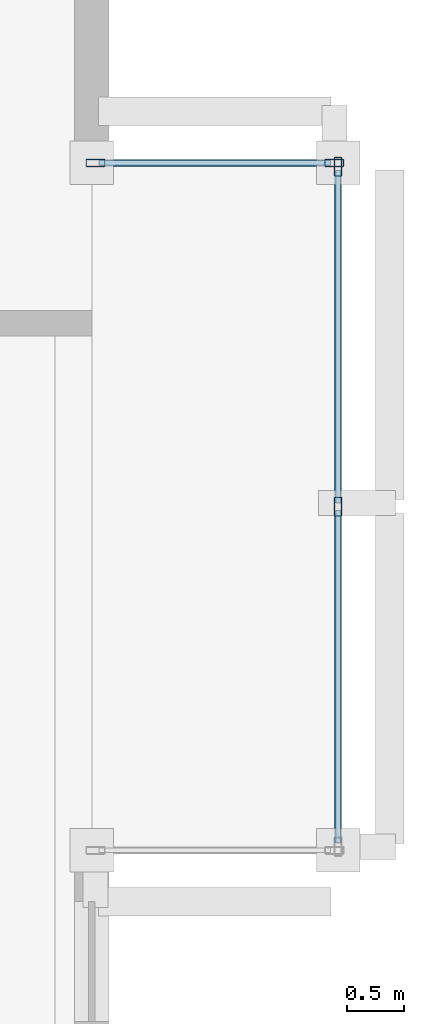
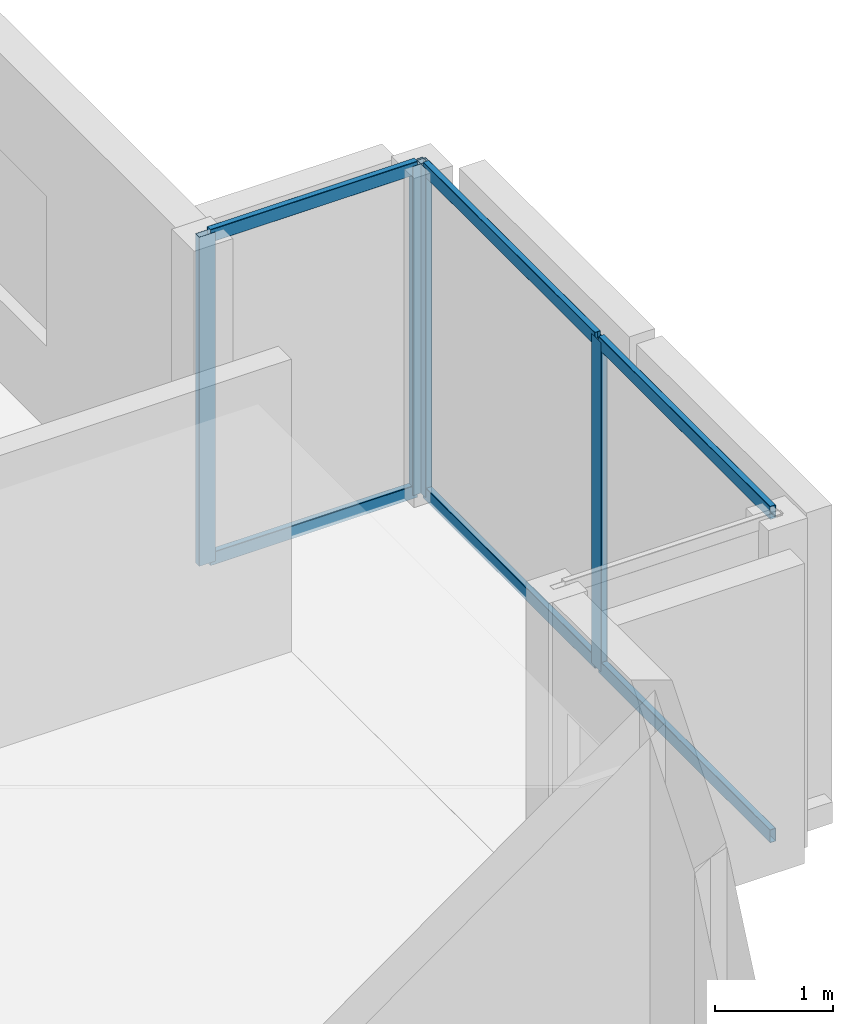
# One storey, part 7 of 16: 10 members, 2 elements without a shape of their own.
"""IFC4 building model written with IfcOpenShell, lengths in metres."""

from ifc_helpers import new_model, si_unit, direction, frame, origin, origin_2d, place, context, subcontext, project, spatial, hollow_rectangle, extrude, material, layer, layer_set, material_profile, profile_set, type_object, element, aggregate, save


model = new_model("IFC4")

# Units and contexts
model_context = context("Model", 3, precision=1e-05, world=origin(), true_north=direction((0.0, 1.0)))
body_context = subcontext(model_context, "Body", "Model", "MODEL_VIEW")
ifc_project = project(units=[si_unit("LENGTHUNIT", "METRE"), si_unit("AREAUNIT", "SQUARE_METRE"), si_unit("VOLUMEUNIT", "CUBIC_METRE"), si_unit("PLANEANGLEUNIT", "RADIAN"), si_unit("MASSUNIT", "GRAM", prefix="KILO")], contexts=[model_context])

# Site, building, storey
site_placement = place(None, origin())
site = spatial("IfcSite", under=ifc_project, at=site_placement, CompositionType="ELEMENT")
building_placement = place(site_placement, origin())
building = spatial("IfcBuilding", under=site, at=building_placement, Name="An Khanh Terracotta Commons", CompositionType="ELEMENT")
storey_placement = place(building_placement, frame((0.0, 0.0, 151.0)))
storey = spatial("IfcBuildingStorey", under=building, at=storey_placement, Name="L39", CompositionType="ELEMENT", Elevation=151.0)

# Curtain wall, members
ifc_material = material(Name="Anodised Aluminium 6063-T6", Category="aluminium")
ifc_layer = layer(ifc_material, 0.239990234375, Name="Anodised Aluminium 6063-T6")
ifc_layer_set = layer_set([ifc_layer], Name="Anodised Aluminium 6063-T6")
curtain_wall_type = type_object("IfcCurtainWallType", Name="CW-SYS-04", PredefinedType="USERDEFINED", material=ifc_layer_set)
curtain_wall_1_placement = place(storey_placement, origin())
curtain_wall_1 = element("IfcCurtainWall", 1, at=curtain_wall_1_placement, inside=storey, type_object=curtain_wall_type, Name="L39 CW-04 Unitised Curtain Wall CW-L39-EBOX-1", ObjectType="UNITISED CURTAIN WALL", PredefinedType="USERDEFINED")
ifc_material_profile_1 = material_profile(ifc_material, hollow_rectangle(XDim=0.06494140625, YDim=0.1650390625, WallThickness=0.00390625, InnerFilletRadius=0.00390625, OuterFilletRadius=0.008056640625, at=origin_2d()), Name="RHS165x65x4")
ifc_profile_set_1 = profile_set([ifc_material_profile_1], Name="Anodised Aluminium 6063-T6")
member_type_1 = type_object("IfcMemberType", Name="CWM-RHS165x65x4", PredefinedType="MULLION", material=ifc_profile_set_1)
member_1_placement = place(storey_placement, frame((65.14990234375, 22.39990234375, 0.0), z_axis=(0.0, 0.0, 1.0), x_axis=(-1.0, 0.0, 0.0)))
member_1 = element("IfcMember", 2, at=member_1_placement, type_object=member_type_1, Name="CW-04 mullion 2", PredefinedType="MULLION", context=body_context, shape_type="SweptSolid", body=[
    extrude(hollow_rectangle(XDim=0.06494140625, YDim=0.1650390625, WallThickness=0.00390625, InnerFilletRadius=0.00390625, OuterFilletRadius=0.008056640625, at=origin_2d()), origin(), (0.0, 0.0, 1.0), 3.39990234375),
])
member_2_placement = place(storey_placement, frame((65.14990234375, 25.367431640625, 0.0), z_axis=(0.0, 0.0, 1.0), x_axis=(-1.0, 0.0, 0.0)))
member_2 = element("IfcMember", 3, at=member_2_placement, type_object=member_type_1, Name="CW-04 mullion 3", PredefinedType="MULLION", context=body_context, shape_type="SweptSolid", body=[
    extrude(hollow_rectangle(XDim=0.06494140625, YDim=0.1650390625, WallThickness=0.00390625, InnerFilletRadius=0.00390625, OuterFilletRadius=0.008056640625, at=origin_2d()), origin(), (0.0, 0.0, 1.0), 3.39990234375),
])

curtain_wall_2_placement = place(storey_placement, origin())
curtain_wall_2 = element("IfcCurtainWall", 4, at=curtain_wall_2_placement, inside=storey, type_object=curtain_wall_type, Name="L39 CW-04 Unitised Curtain Wall CW-L39-EBOX-3", ObjectType="UNITISED CURTAIN WALL", PredefinedType="USERDEFINED")
member_3_placement = place(storey_placement, frame((65.117431640625, 25.39990234375, 0.0), z_axis=(0.0, 0.0, 1.0), x_axis=(0.0, -1.0, 0.0)))
member_3 = element("IfcMember", 5, at=member_3_placement, type_object=member_type_1, Name="CW-04 mullion 1", PredefinedType="MULLION", context=body_context, shape_type="SweptSolid", body=[
    extrude(hollow_rectangle(XDim=0.06494140625, YDim=0.1650390625, WallThickness=0.00390625, InnerFilletRadius=0.00390625, OuterFilletRadius=0.008056640625, at=origin_2d()), origin(), (0.0, 0.0, 1.0), 3.39990234375),
])
member_4_placement = place(storey_placement, frame((63.032470703125, 25.39990234375, 0.0), z_axis=(0.0, 0.0, 1.0), x_axis=(0.0, -1.0, 0.0)))
member_4 = element("IfcMember", 6, at=member_4_placement, type_object=member_type_1, Name="CW-04 mullion 2", PredefinedType="MULLION", context=body_context, shape_type="SweptSolid", body=[
    extrude(hollow_rectangle(XDim=0.06494140625, YDim=0.1650390625, WallThickness=0.00390625, InnerFilletRadius=0.00390625, OuterFilletRadius=0.008056640625, at=origin_2d()), origin(), (0.0, 0.0, 1.0), 3.39990234375),
])

# Member
ifc_material_profile_2 = material_profile(ifc_material, hollow_rectangle(XDim=0.06005859375, YDim=0.135009765625, WallThickness=0.003662109375, InnerFilletRadius=0.003662109375, OuterFilletRadius=0.007080078125, at=origin_2d()), Name="RHS135x60x3.6")
ifc_profile_set_2 = profile_set([ifc_material_profile_2], Name="Anodised Aluminium 6063-T6")
member_type_2 = type_object("IfcMemberType", Name="CWT-RHS135x60x3.6", PredefinedType="USERDEFINED", material=ifc_profile_set_2)
member_5_placement = place(storey_placement, frame((65.14990234375, 19.465087890625, 0.030029296875), z_axis=(0.0, 1.0, 0.0), x_axis=(-1.0, 0.0, 0.0)))
member_5 = element("IfcMember", 7, at=member_5_placement, type_object=member_type_2, Name="CW-04 transom 1.1", ObjectType="TRANSOM", PredefinedType="USERDEFINED", context=body_context, shape_type="SweptSolid", body=[
    extrude(hollow_rectangle(XDim=0.06005859375, YDim=0.135009765625, WallThickness=0.003662109375, InnerFilletRadius=0.003662109375, OuterFilletRadius=0.007080078125, at=origin_2d()), origin(), (0.0, 0.0, 1.0), 2.90234375),
])

member_6_placement = place(storey_placement, frame((65.14990234375, 19.465087890625, 3.3701171875), z_axis=(0.0, 1.0, 0.0), x_axis=(-1.0, 0.0, 0.0)))
member_6 = element("IfcMember", 8, at=member_6_placement, type_object=member_type_2, Name="CW-04 transom 1.2", ObjectType="TRANSOM", PredefinedType="USERDEFINED", context=body_context, shape_type="SweptSolid", body=[
    extrude(hollow_rectangle(XDim=0.06005859375, YDim=0.135009765625, WallThickness=0.003662109375, InnerFilletRadius=0.003662109375, OuterFilletRadius=0.007080078125, at=origin_2d()), origin(), (0.0, 0.0, 1.0), 2.90234375),
])

member_7_placement = place(storey_placement, frame((65.14990234375, 22.4326171875, 0.030029296875), z_axis=(0.0, 1.0, 0.0), x_axis=(-1.0, 0.0, 0.0)))
member_7 = element("IfcMember", 9, at=member_7_placement, type_object=member_type_2, Name="CW-04 transom 2.1", ObjectType="TRANSOM", PredefinedType="USERDEFINED", context=body_context, shape_type="SweptSolid", body=[
    extrude(hollow_rectangle(XDim=0.06005859375, YDim=0.135009765625, WallThickness=0.003662109375, InnerFilletRadius=0.003662109375, OuterFilletRadius=0.007080078125, at=origin_2d()), origin(), (0.0, 0.0, 1.0), 2.90234375),
])

member_8_placement = place(storey_placement, frame((65.14990234375, 22.4326171875, 3.3701171875), z_axis=(0.0, 1.0, 0.0), x_axis=(-1.0, 0.0, 0.0)))
member_8 = element("IfcMember", 10, at=member_8_placement, type_object=member_type_2, Name="CW-04 transom 2.2", ObjectType="TRANSOM", PredefinedType="USERDEFINED", context=body_context, shape_type="SweptSolid", body=[
    extrude(hollow_rectangle(XDim=0.06005859375, YDim=0.135009765625, WallThickness=0.003662109375, InnerFilletRadius=0.003662109375, OuterFilletRadius=0.007080078125, at=origin_2d()), origin(), (0.0, 0.0, 1.0), 2.90234375),
])

aggregate(curtain_wall_1, [member_1, member_2, member_5, member_6, member_7, member_8])

member_9_placement = place(storey_placement, frame((65.0849609375, 25.39990234375, 0.030029296875), z_axis=(-1.0, 0.0, 0.0), x_axis=(0.0, -1.0, 0.0)))
member_9 = element("IfcMember", 11, at=member_9_placement, type_object=member_type_2, Name="CW-04 transom 1.1", ObjectType="TRANSOM", PredefinedType="USERDEFINED", context=body_context, shape_type="SweptSolid", body=[
    extrude(hollow_rectangle(XDim=0.06005859375, YDim=0.135009765625, WallThickness=0.003662109375, InnerFilletRadius=0.003662109375, OuterFilletRadius=0.007080078125, at=origin_2d()), origin(), (0.0, 0.0, 1.0), 2.02001953125),
])

member_10_placement = place(storey_placement, frame((65.0849609375, 25.39990234375, 3.3701171875), z_axis=(-1.0, 0.0, 0.0), x_axis=(0.0, -1.0, 0.0)))
member_10 = element("IfcMember", 12, at=member_10_placement, type_object=member_type_2, Name="CW-04 transom 1.2", ObjectType="TRANSOM", PredefinedType="USERDEFINED", context=body_context, shape_type="SweptSolid", body=[
    extrude(hollow_rectangle(XDim=0.06005859375, YDim=0.135009765625, WallThickness=0.003662109375, InnerFilletRadius=0.003662109375, OuterFilletRadius=0.007080078125, at=origin_2d()), origin(), (0.0, 0.0, 1.0), 2.02001953125),
])

aggregate(curtain_wall_2, [member_3, member_4, member_9, member_10])

save(model, "model.ifc")
